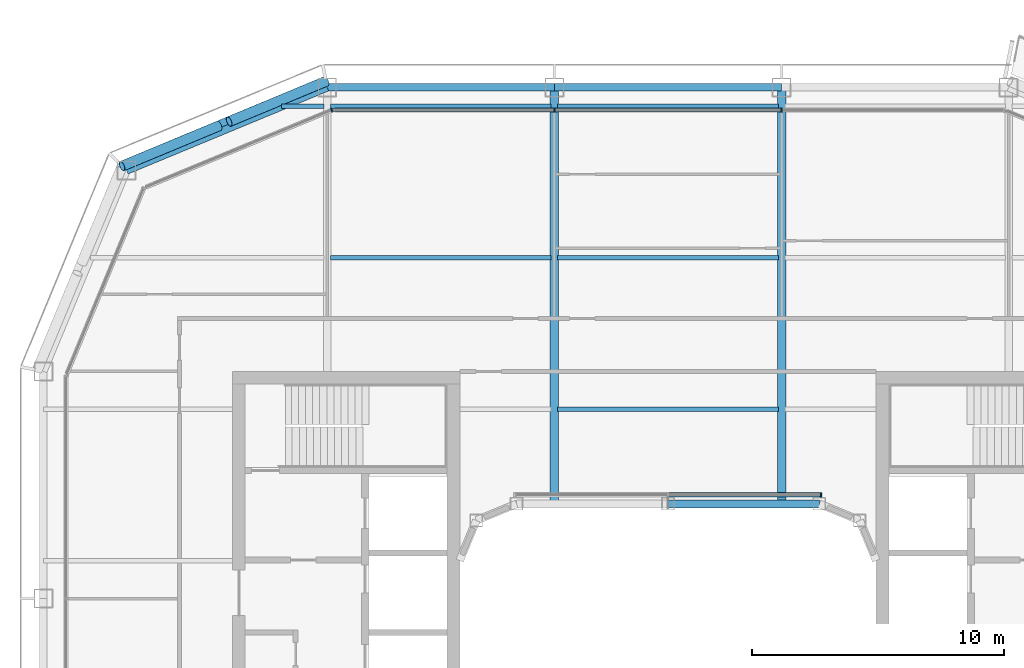
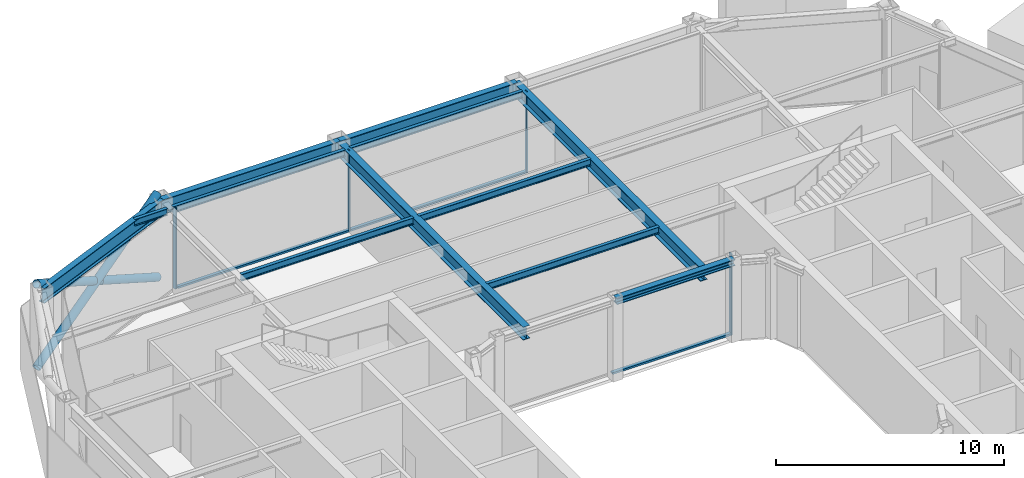
# One storey, part 7 of 20: 12 beams, 10 members, 3 elements without a shape of their own.
"""IFC4 building model written with IfcOpenShell, lengths in metres."""

import ifcopenshell
import ifcopenshell.guid

model = None  # the IFC model being written
_history = None  # IfcOwnerHistory: only IFC2X3 demands one
_inside = {}  # id of a spatial element -> (the spatial element, [elements in it])
_under = {}  # id of a project, library or spatial element -> (it, [spatial elements below it])
_declared = {}  # id of a project -> (the project, [libraries it declares])
_typed = {}  # id of a type object -> (the type object, [elements of that type])
_made_of = {}  # id of a material, layer set ... -> (it, [elements and type objects made of it])


def new_model(schema):
    """Start an empty IFC model of exactly this schema.

    Asked for "IFC4X3", IfcOpenShell would pick the latest addendum, in which some entities
    have other attributes; the version numbers below select the first issue.
    IFC2X3 requires an IfcOwnerHistory on every rooted entity: one is made here for all.
    """
    global model, _history
    if schema == "IFC4X3":
        model = ifcopenshell.file(schema_version=(4, 3, 0, 0))
    else:
        model = ifcopenshell.file(schema=schema)
    _inside.clear()
    _under.clear()
    _declared.clear()
    _typed.clear()
    _made_of.clear()
    _history = None
    if model.schema == "IFC2X3":
        org = make("IfcOrganization", Name="unknown")
        user = make(
            "IfcPersonAndOrganization",
            ThePerson=make("IfcPerson", FamilyName="unknown"),
            TheOrganization=org,
        )
        app = make(
            "IfcApplication",
            ApplicationDeveloper=org,
            Version="unknown",
            ApplicationFullName="unknown",
            ApplicationIdentifier="unknown",
        )
        _history = make(
            "IfcOwnerHistory",
            OwningUser=user,
            OwningApplication=app,
            ChangeAction="ADDED",
            CreationDate=0,
        )
    return model


def make(cls, **values):
    """One entity of the class cls with the attributes given. An attribute that is None is left unset."""
    return model.create_entity(
        cls, **{name: value for name, value in values.items() if value is not None}
    )


def rooted(cls, **values):
    """An entity with a GlobalId (a new one), such as an element, a storey or a relation."""
    return make(cls, GlobalId=ifcopenshell.guid.new(), OwnerHistory=_history, **values)


def si_unit(unit_type, name, prefix=None):
    """IfcSIUnit, for example si_unit("LENGTHUNIT", "METRE", prefix="MILLI")."""
    return make("IfcSIUnit", UnitType=unit_type, Prefix=prefix, Name=name)


def assignment(units):
    """IfcUnitAssignment: the units of a project."""
    return None if units is None else make("IfcUnitAssignment", Units=units)


def point(xyz):
    """IfcCartesianPoint."""
    return None if xyz is None else make("IfcCartesianPoint", Coordinates=xyz)


def direction(xyz):
    """IfcDirection."""
    return None if xyz is None else make("IfcDirection", DirectionRatios=xyz)


def frame(location, z_axis=None, x_axis=None):
    """IfcAxis2Placement3D, a coordinate frame: its origin and axes. An axis left out is left unset."""
    return make(
        "IfcAxis2Placement3D",
        Location=point(location),
        Axis=direction(z_axis),
        RefDirection=direction(x_axis),
    )


def frame_2d(location, x_axis=None):
    """IfcAxis2Placement2D, a coordinate frame in the plane: its origin and x axis."""
    return make(
        "IfcAxis2Placement2D", Location=point(location), RefDirection=direction(x_axis)
    )


def origin():
    """The frame at (0, 0, 0) with its axes left unset."""
    return frame((0.0, 0.0, 0.0))


def origin_2d():
    """The frame at (0, 0) in the plane with its x axis left unset."""
    return frame_2d((0.0, 0.0))


def place(relative_to, where):
    """IfcLocalPlacement: puts the frame where relative to a parent placement (None: the world)."""
    return make(
        "IfcLocalPlacement", PlacementRelTo=relative_to, RelativePlacement=where
    )


def context(
    kind, dimensions, precision=None, world=None, true_north=None, identifier=None
):
    """IfcGeometricRepresentationContext, for example the 3D "Model" context."""
    return make(
        "IfcGeometricRepresentationContext",
        ContextIdentifier=identifier,
        ContextType=kind,
        CoordinateSpaceDimension=dimensions,
        Precision=precision,
        WorldCoordinateSystem=world,
        TrueNorth=true_north,
    )


def subcontext(parent, identifier, kind, view, scale=None):
    """IfcGeometricRepresentationSubContext, for example "Body" below "Model"."""
    return make(
        "IfcGeometricRepresentationSubContext",
        ContextIdentifier=identifier,
        ContextType=kind,
        ParentContext=parent,
        TargetScale=scale,
        TargetView=view,
    )


def project(units=None, contexts=None):
    """IfcProject with its units and contexts."""
    return rooted(
        "IfcProject",
        Name="project",
        RepresentationContexts=contexts,
        UnitsInContext=assignment(units),
    )


def spatial(cls, under=None, at=None, **own):
    """A site, building, storey or space (cls), placed at a placement, below another one or the project."""
    s = rooted(cls, ObjectPlacement=at, **own)
    if under is not None:
        _under.setdefault(under.id(), (under, []))[1].append(s)
    return s


def profile(cls, at=None, kind="AREA", **sizes):
    """A parametric profile (cls). Its sizes go by their IFC names, for example OverallWidth=200.0."""
    return make(cls, ProfileType=kind, Position=at, **sizes)


def rectangle(**sizes):
    """IfcRectangleProfileDef."""
    return profile("IfcRectangleProfileDef", **sizes)


def hollow_circle(**sizes):
    """IfcCircleHollowProfileDef."""
    return profile("IfcCircleHollowProfileDef", **sizes)


def i_section(**sizes):
    """IfcIShapeProfileDef."""
    return profile("IfcIShapeProfileDef", **sizes)


def extrude(swept, where, along, depth):
    """IfcExtrudedAreaSolid: the profile swept, set in the frame where, extruded along a direction by depth."""
    return make(
        "IfcExtrudedAreaSolid",
        SweptArea=swept,
        Position=where,
        ExtrudedDirection=direction(along),
        Depth=depth,
    )


def shape(context_of_items, identifier, shape_type, items):
    """IfcShapeRepresentation: the items that make up one representation, for example the "Body"."""
    return make(
        "IfcShapeRepresentation",
        ContextOfItems=context_of_items,
        RepresentationIdentifier=identifier,
        RepresentationType=shape_type,
        Items=items,
    )


def material(Name=None, Category=None):
    """IfcMaterial."""
    return make("IfcMaterial", Name=Name, Category=Category)


def layer(
    of_material, thickness, ventilated=None, Name=None, Category=None, Priority=None
):
    """IfcMaterialLayer: one layer of a wall or slab, of a material (None: an air gap)."""
    return make(
        "IfcMaterialLayer",
        Material=of_material,
        LayerThickness=thickness,
        IsVentilated=ventilated,
        Name=Name,
        Category=Category,
        Priority=Priority,
    )


def layer_set(layers, Name=None):
    """IfcMaterialLayerSet."""
    return make("IfcMaterialLayerSet", MaterialLayers=layers, LayerSetName=Name)


def material_profile(
    of_material, cross_section, Name=None, Category=None, Priority=None
):
    """IfcMaterialProfile: a cross section and its material."""
    return make(
        "IfcMaterialProfile",
        Name=Name,
        Material=of_material,
        Profile=cross_section,
        Priority=Priority,
        Category=Category,
    )


def profile_set(profiles, Name=None, composite=None):
    """IfcMaterialProfileSet."""
    return make(
        "IfcMaterialProfileSet",
        Name=Name,
        MaterialProfiles=profiles,
        CompositeProfile=composite,
    )


def made_of(thing, what):
    """Note that an element or type object is made of a material, layer set ...; save() writes the relation."""
    if what is not None:
        _made_of.setdefault(what.id(), (what, []))[1].append(thing)
    return thing


def type_object(cls, material=None, **own):
    """A type object (cls), such as IfcWallType, which elements share."""
    return made_of(rooted(cls, **own), material)


def element(
    cls,
    number,
    at=None,
    inside=None,
    cuts=None,
    type_object=None,
    material=None,
    context=None,
    identifier="Body",
    shape_type=None,
    held_by="IfcProductDefinitionShape",
    body=None,
    shapes=None,
    **own,
):
    """One element of the class cls, such as IfcWall. Its Tag is "e" and its number.

    at: its placement. inside: the storey or other place that contains it. cuts: it is an
    opening in that element (IfcRelVoidsElement). A single representation is given by context,
    identifier, shape_type and body (its items); several are given by shapes. held_by: the class
    of the entity that holds the representations. save() writes the other relations.
    """
    e = rooted(cls, Tag="e%d" % number, ObjectPlacement=at, **own)
    if body is not None:
        shapes = [shape(context, identifier, shape_type, body)]
    if shapes is not None:
        e.Representation = make(held_by, Representations=shapes)
    if inside is not None:
        _inside.setdefault(inside.id(), (inside, []))[1].append(e)
    if cuts is not None:
        rooted(
            "IfcRelVoidsElement", RelatingBuildingElement=cuts, RelatedOpeningElement=e
        )
    if type_object is not None:
        _typed.setdefault(type_object.id(), (type_object, []))[1].append(e)
    return made_of(e, material)


def aggregate(whole, parts):
    """IfcRelAggregates: a whole, such as a stair, and the parts it consists of."""
    return rooted("IfcRelAggregates", RelatingObject=whole, RelatedObjects=parts)


def save(model, path):
    """Write the relations noted so far, then the file.

    IfcRelAggregates (storeys below a building ...), IfcRelContainedInSpatialStructure (elements
    in a storey), IfcRelDefinesByType, IfcRelAssociatesMaterial and IfcRelDeclares: one each for
    every whole, place, type object, material and project.
    """
    for whole, parts in _under.values():
        aggregate(whole, parts)
    for where, things in _inside.values():
        rooted(
            "IfcRelContainedInSpatialStructure",
            RelatedElements=things,
            RelatingStructure=where,
        )
    for kind, things in _typed.values():
        rooted("IfcRelDefinesByType", RelatedObjects=things, RelatingType=kind)
    for what, things in _made_of.values():
        rooted("IfcRelAssociatesMaterial", RelatedObjects=things, RelatingMaterial=what)
    for by, libraries in _declared.values():
        rooted("IfcRelDeclares", RelatingContext=by, RelatedDefinitions=libraries)
    model.write(path)


model = new_model("IFC4")

# Units and contexts
model_context = context("Model", 3, precision=1e-05, world=origin(), true_north=direction((0.0, 1.0)))
body_context = subcontext(model_context, "Body", "Model", "MODEL_VIEW")
ifc_project = project(units=[si_unit("LENGTHUNIT", "METRE"), si_unit("AREAUNIT", "SQUARE_METRE"), si_unit("VOLUMEUNIT", "CUBIC_METRE"), si_unit("PLANEANGLEUNIT", "RADIAN"), si_unit("MASSUNIT", "GRAM", prefix="KILO")], contexts=[model_context])

# Site, building, storey
site_placement = place(None, origin())
site = spatial("IfcSite", under=ifc_project, at=site_placement, CompositionType="ELEMENT")
building_placement = place(site_placement, origin())
building = spatial("IfcBuilding", under=site, at=building_placement, Name="Siwar Civic Tower", CompositionType="ELEMENT")
storey_placement = place(building_placement, frame((0.0, 0.0, 307.699951171875)))
storey = spatial("IfcBuildingStorey", under=building, at=storey_placement, Name="L66", CompositionType="ELEMENT", Elevation=307.699951171875)

# Curtain wall, members
ifc_material_1 = material(Name="Aluminium and glass", Category="aluminium")
ifc_layer_1 = layer(ifc_material_1, 0.159912109375)
ifc_layer_set_1 = layer_set([ifc_layer_1], Name="Aluminium and glass")
curtain_wall_type_1 = type_object("IfcCurtainWallType", Name="ENV-CW-D", PredefinedType="NOTDEFINED", material=ifc_layer_set_1)
curtain_wall_1_placement = place(storey_placement, origin())
curtain_wall_1 = element("IfcCurtainWall", 1, at=curtain_wall_1_placement, inside=storey, type_object=curtain_wall_type_1, Name="Curtain wall D N", PredefinedType="NOTDEFINED")
ifc_material_2 = material(Name="Aluminium 6063-T6", Category="aluminium")
ifc_material_profile_1 = material_profile(ifc_material_2, rectangle(XDim=0.159912109375, YDim=0.06005859375, at=origin_2d()), Name="AL 160x60")
ifc_profile_set_1 = profile_set([ifc_material_profile_1], Name="Aluminium 6063-T6")
member_type_1 = type_object("IfcMemberType", Name="ENV-MULLION-D", PredefinedType="MULLION", material=ifc_profile_set_1)
member_1_placement = place(storey_placement, frame((4.5, 23.85009765625, 0.0), z_axis=(0.0, 0.0, 1.0), x_axis=(0.0, -1.0, 0.0)))
member_1 = element("IfcMember", 2, at=member_1_placement, type_object=member_type_1, Name="Mullion D N 2", PredefinedType="MULLION", context=body_context, shape_type="SweptSolid", body=[
    extrude(rectangle(XDim=0.159912109375, YDim=0.06005859375, at=origin_2d()), origin(), (0.0, 0.0, 1.0), 4.35009765625),
])
member_2_placement = place(storey_placement, frame((-4.5, 23.85009765625, 0.0), z_axis=(0.0, 0.0, 1.0), x_axis=(0.0, -1.0, 0.0)))
member_2 = element("IfcMember", 3, at=member_2_placement, type_object=member_type_1, Name="Mullion D N 3", PredefinedType="MULLION", context=body_context, shape_type="SweptSolid", body=[
    extrude(rectangle(XDim=0.159912109375, YDim=0.06005859375, at=origin_2d()), origin(), (0.0, 0.0, 1.0), 4.35009765625),
])

# Curtain wall, member
ifc_material_3 = material(Name="Aluminium clad insulated panel", Category="aluminium")
ifc_layer_2 = layer(ifc_material_3, 0.159912109375)
ifc_layer_set_2 = layer_set([ifc_layer_2], Name="Aluminium clad insulated panel")
curtain_wall_type_2 = type_object("IfcCurtainWallType", Name="ENV-CW-DX", PredefinedType="NOTDEFINED", material=ifc_layer_set_2)
curtain_wall_2_placement = place(storey_placement, origin())
curtain_wall_2 = element("IfcCurtainWall", 4, at=curtain_wall_2_placement, inside=storey, type_object=curtain_wall_type_2, Name="Curtain wall D NW1", PredefinedType="NOTDEFINED")
member_3_placement = place(storey_placement, frame((-13.321044921875, 23.85009765625, 0.0), z_axis=(0.0, 0.0, 1.0), x_axis=(0.382683432365, -0.923879532511, 0.0)))
member_3 = element("IfcMember", 5, at=member_3_placement, type_object=member_type_1, Name="Mullion D NW1 1", PredefinedType="MULLION", context=body_context, shape_type="SweptSolid", body=[
    extrude(rectangle(XDim=0.159912109375, YDim=0.06005859375, at=origin_2d()), origin(), (0.0, 0.0, 1.0), 4.35009765625),
])
aggregate(curtain_wall_2, [member_3])

ifc_material_4 = material(Name="Aluminium and glass", Category="aluminium")
ifc_layer_3 = layer(ifc_material_4, 0.179931640625)
ifc_layer_set_3 = layer_set([ifc_layer_3], Name="Aluminium and glass")
curtain_wall_type_3 = type_object("IfcCurtainWallType", Name="ENV-CW-W", PredefinedType="NOTDEFINED", material=ifc_layer_set_3)
curtain_wall_3_placement = place(storey_placement, origin())
curtain_wall_3 = element("IfcCurtainWall", 6, at=curtain_wall_3_placement, inside=storey, type_object=curtain_wall_type_3, Name="Curtain wall W WN", PredefinedType="NOTDEFINED")
ifc_material_5 = material(Name="Aluminium 6063-T6", Category="aluminium")
ifc_material_profile_2 = material_profile(ifc_material_5, rectangle(XDim=0.179931640625, YDim=0.06005859375, at=origin_2d()), Name="AL 180x60")
ifc_profile_set_2 = profile_set([ifc_material_profile_2], Name="Aluminium 6063-T6")
member_type_2 = type_object("IfcMemberType", Name="ENV-MULLION-W", PredefinedType="MULLION", material=ifc_profile_set_2)
member_4_placement = place(storey_placement, frame((6.071533203125, 8.610107421875, 0.0), z_axis=(0.0, 0.0, 1.0), x_axis=(0.0, -1.0, 0.0)))
member_4 = element("IfcMember", 7, at=member_4_placement, type_object=member_type_2, Name="Mullion W WN 1", PredefinedType="MULLION", context=body_context, shape_type="SweptSolid", body=[
    extrude(rectangle(XDim=0.179931640625, YDim=0.06005859375, at=origin_2d()), origin(), (0.0, 0.0, 1.0), 4.35009765625),
])

# Member
ifc_material_6 = material(Name="Aluminium 6063-T6", Category="aluminium")
ifc_material_profile_3 = material_profile(ifc_material_6, rectangle(XDim=0.159912109375, YDim=0.10009765625, at=origin_2d()), Name="AL 160x100")
ifc_profile_set_3 = profile_set([ifc_material_profile_3], Name="Aluminium 6063-T6")
member_type_3 = type_object("IfcMemberType", Name="ENV-TRANSOM-D", PredefinedType="USERDEFINED", material=ifc_profile_set_3)
member_5_placement = place(storey_placement, frame((4.469970703125, 23.85009765625, 0.050048828125), z_axis=(-1.0, 0.0, 0.0), x_axis=(0.0, -1.0, 0.0)))
member_5 = element("IfcMember", 8, at=member_5_placement, type_object=member_type_3, Name="Transom D N 2", ObjectType="TRANSOM", PredefinedType="USERDEFINED", context=body_context, shape_type="SweptSolid", body=[
    extrude(rectangle(XDim=0.159912109375, YDim=0.10009765625, at=origin_2d()), origin(), (0.0, 0.0, 1.0), 8.93994140625),
])

member_6_placement = place(storey_placement, frame((-4.530029296875, 23.85009765625, 0.050048828125), z_axis=(-1.0, 0.0, 0.0), x_axis=(0.0, -1.0, 0.0)))
member_6 = element("IfcMember", 9, at=member_6_placement, type_object=member_type_3, Name="Transom D N 3", ObjectType="TRANSOM", PredefinedType="USERDEFINED", context=body_context, shape_type="SweptSolid", body=[
    extrude(rectangle(XDim=0.159912109375, YDim=0.10009765625, at=origin_2d()), origin(), (0.0, 0.0, 1.0), 8.693115234375),
])

aggregate(curtain_wall_1, [member_1, member_2, member_5, member_6])

ifc_material_7 = material(Name="Aluminium 6063-T6", Category="aluminium")
ifc_material_profile_4 = material_profile(ifc_material_7, rectangle(XDim=0.179931640625, YDim=0.10009765625, at=origin_2d()), Name="AL 180x100")
ifc_profile_set_4 = profile_set([ifc_material_profile_4], Name="Aluminium 6063-T6")
member_type_4 = type_object("IfcMemberType", Name="ENV-TRANSOM-W", PredefinedType="USERDEFINED", material=ifc_profile_set_4)
member_7_placement = place(storey_placement, frame((6.04150390625, 8.610107421875, 0.050048828125), z_axis=(-1.0, 0.0, 0.0), x_axis=(0.0, -1.0, 0.0)))
member_7 = element("IfcMember", 10, at=member_7_placement, type_object=member_type_4, Name="Transom W WN 1", ObjectType="TRANSOM", PredefinedType="USERDEFINED", context=body_context, shape_type="SweptSolid", body=[
    extrude(rectangle(XDim=0.179931640625, YDim=0.10009765625, at=origin_2d()), origin(), (0.0, 0.0, 1.0), 6.011474609375),
])

aggregate(curtain_wall_3, [member_4, member_7])

# Members
ifc_material_8 = material(Name="Steel S355", Category="steel")
ifc_material_profile_5 = material_profile(ifc_material_8, hollow_circle(Radius=0.203125, WallThickness=0.01611328125, at=origin_2d()), Name="CHS406.4x16")
ifc_profile_set_5 = profile_set([ifc_material_profile_5], Name="Steel S355")
member_type_5 = type_object("IfcMemberType", Name="STR-BR-CHS406.4x16", PredefinedType="BRACE", material=ifc_profile_set_5)
member_8_placement = place(storey_placement, frame((-21.6318359375, 21.6318359375, 0.0), z_axis=(0.821142553604, 0.341671493852, 0.457149315816), x_axis=(-0.384163874976, 0.923264922524, 0.0)))
element("IfcMember", 11, at=member_8_placement, inside=storey, type_object=member_type_5, Name="L66/brc/DNW1-5-0-0", PredefinedType="BRACE", context=body_context, shape_type="SweptSolid", body=[
    extrude(hollow_circle(Radius=0.203125, WallThickness=0.01611328125, at=origin_2d()), origin(), (0.0, 0.0, 1.0), 9.843505859375),
])
for number, where, z_axis, x_axis, name in (
    (12, (-13.548828125, 24.9951171875, 0.0), (-0.821130093572, -0.341659024948, 0.45718101459), (0.384156893273, -0.923267827529, 0.0), "L66/brc/DNW1-5-0-4"),
    (13, (-17.791259765625, 23.229736328125, 2.362060546875), (-0.821166691915, -0.341652533125, 0.457120127208), (0.38413607648, -0.923276488787, 0.0), "L66/brc/DNW1-5-0-5"),
):
    element("IfcMember", number, at=place(storey_placement, frame(where, z_axis=z_axis, x_axis=x_axis)), inside=storey, type_object=member_type_5, Name=name, PredefinedType="BRACE", context=body_context, shape_type="SweptSolid", body=[
        extrude(hollow_circle(Radius=0.203125, WallThickness=0.01611328125, at=origin_2d()), origin(), (0.0, 0.0, 1.0), 4.677001953125),
    ])

# Beams
ifc_material_9 = material(Name="Steel S355", Category="steel")
ifc_material_profile_6 = material_profile(ifc_material_9, i_section(OverallWidth=0.169921875, OverallDepth=0.360107421875, WebThickness=0.008056640625, FlangeThickness=0.0126953125, FilletRadius=0.01806640625, at=origin_2d()), Name="IPE360")
ifc_profile_set_6 = profile_set([ifc_material_profile_6], Name="Steel S355")
beam_type_1 = type_object("IfcBeamType", Name="STR-FB-IPE360", PredefinedType="JOIST", material=ifc_profile_set_6)
for number, where, z_axis, x_axis, name in (
    (14, (-4.3701171875, 12.0, 4.170166015625), (1.0, 0.0, 0.0), (0.0, 1.0, 0.0), "L66/bm/F024"),
    (15, (-13.3701171875, 18.0, 4.170166015625), (1.0, 0.0, 0.0), (0.0, 1.0, 0.0), "L66/bm/F028"),
    (16, (-4.3701171875, 18.0, 4.170166015625), (1.0, 0.0, 0.0), (0.0, 1.0, 0.0), "L66/bm/F029"),
):
    element("IfcBeam", number, at=place(storey_placement, frame(where, z_axis=z_axis, x_axis=x_axis)), inside=storey, type_object=beam_type_1, Name=name, PredefinedType="JOIST", context=body_context, shape_type="SweptSolid", body=[
        extrude(i_section(OverallWidth=0.169921875, OverallDepth=0.360107421875, WebThickness=0.008056640625, FlangeThickness=0.0126953125, FilletRadius=0.01806640625, at=origin_2d()), origin(), (0.0, 0.0, 1.0), 8.740234375),
    ])
beam_1_placement = place(storey_placement, frame((-15.310546875, 24.0, 4.170166015625), z_axis=(1.0, 0.0, 0.0), x_axis=(0.0, 1.0, 0.0)))
element("IfcBeam", 17, at=beam_1_placement, inside=storey, type_object=beam_type_1, Name="L66/bm/F032", PredefinedType="JOIST", context=body_context, shape_type="SweptSolid", body=[
    extrude(i_section(OverallWidth=0.169921875, OverallDepth=0.360107421875, WebThickness=0.008056640625, FlangeThickness=0.0126953125, FilletRadius=0.01806640625, at=origin_2d()), origin(), (0.0, 0.0, 1.0), 1.6806640625),
])
for number, where, z_axis, x_axis, name in (
    (18, (-13.3701171875, 24.0, 4.170166015625), (1.0, 0.0, 0.0), (0.0, 1.0, 0.0), "L66/bm/F033"),
    (19, (-4.3701171875, 24.0, 4.170166015625), (1.0, 0.0, 0.0), (0.0, 1.0, 0.0), "L66/bm/F034"),
):
    element("IfcBeam", number, at=place(storey_placement, frame(where, z_axis=z_axis, x_axis=x_axis)), inside=storey, type_object=beam_type_1, Name=name, PredefinedType="JOIST", context=body_context, shape_type="SweptSolid", body=[
        extrude(i_section(OverallWidth=0.169921875, OverallDepth=0.360107421875, WebThickness=0.008056640625, FlangeThickness=0.0126953125, FilletRadius=0.01806640625, at=origin_2d()), origin(), (0.0, 0.0, 1.0), 8.740234375),
    ])
ifc_material_10 = material(Name="Steel S355", Category="steel")
ifc_material_profile_7 = material_profile(ifc_material_10, i_section(OverallWidth=0.340087890625, OverallDepth=0.699951171875, WebThickness=0.013916015625, FlangeThickness=0.030029296875, at=origin_2d()), Name="PG700x340x14x30")
ifc_profile_set_7 = profile_set([ifc_material_profile_7], Name="Steel S355")
beam_type_2 = type_object("IfcBeamType", Name="STR-PG-PG700x340x14x30", PredefinedType="BEAM", material=ifc_profile_set_7)
for number, where, z_axis, x_axis, name in (
    (20, (-4.5, 8.25, 4.0), (0.0, 1.0, 0.0), (-1.0, 0.0, 0.0), "L66/bm/G04"),
    (21, (4.5, 8.25, 4.0), (0.0, 1.0, 0.0), (-1.0, 0.0, 0.0), "L66/bm/G06"),
):
    element("IfcBeam", number, at=place(storey_placement, frame(where, z_axis=z_axis, x_axis=x_axis)), inside=storey, type_object=beam_type_2, Name=name, PredefinedType="BEAM", context=body_context, shape_type="SweptSolid", body=[
        extrude(i_section(OverallWidth=0.340087890625, OverallDepth=0.699951171875, WebThickness=0.013916015625, FlangeThickness=0.030029296875, at=origin_2d()), origin(), (0.0, 0.0, 1.0), 16.5),
    ])
ifc_material_11 = material(Name="Steel S355", Category="steel")
ifc_material_profile_8 = material_profile(ifc_material_11, i_section(OverallWidth=0.31005859375, OverallDepth=0.340087890625, WebThickness=0.02099609375, FlangeThickness=0.0390625, FilletRadius=0.027099609375, at=origin_2d()), Name="HEM300")
ifc_profile_set_8 = profile_set([ifc_material_profile_8], Name="Steel S355")
beam_type_3 = type_object("IfcBeamType", Name="STR-RB-HEM300", PredefinedType="BEAM", material=ifc_profile_set_8)
beam_2_placement = place(storey_placement, frame((0.0, 8.25, 4.179931640625), z_axis=(1.0, 0.0, 0.0), x_axis=(0.0, 1.0, 0.0)))
element("IfcBeam", 22, at=beam_2_placement, inside=storey, type_object=beam_type_3, Name="L66/bm/RN2", PredefinedType="BEAM", context=body_context, shape_type="SweptSolid", body=[
    extrude(i_section(OverallWidth=0.31005859375, OverallDepth=0.340087890625, WebThickness=0.02099609375, FlangeThickness=0.0390625, FilletRadius=0.027099609375, at=origin_2d()), origin(), (0.0, 0.0, 1.0), 6.0),
])
ifc_material_12 = material(Name="Steel S355", Category="steel")
ifc_material_profile_9 = material_profile(ifc_material_12, i_section(OverallWidth=0.300048828125, OverallDepth=0.800048828125, WebThickness=0.017578125, FlangeThickness=0.032958984375, FilletRadius=0.030029296875, at=origin_2d()), Name="HEB800")
ifc_profile_set_9 = profile_set([ifc_material_profile_9], Name="Steel S355")
beam_type_4 = type_object("IfcBeamType", Name="STR-SB-HEB800", PredefinedType="BEAM", material=ifc_profile_set_9)
for number, where, z_axis, x_axis, name in (
    (23, (4.5, 24.75, 3.949951171875), (-1.0, 0.0, 0.0), (0.0, -1.0, 0.0), "L66/bm/SN-1"),
    (24, (-4.5, 24.75, 3.949951171875), (-1.0, 0.0, 0.0), (0.0, -1.0, 0.0), "L66/bm/SN-2"),
):
    element("IfcBeam", number, at=place(storey_placement, frame(where, z_axis=z_axis, x_axis=x_axis)), inside=storey, type_object=beam_type_4, Name=name, PredefinedType="BEAM", context=body_context, shape_type="SweptSolid", body=[
        extrude(i_section(OverallWidth=0.300048828125, OverallDepth=0.800048828125, WebThickness=0.017578125, FlangeThickness=0.032958984375, FilletRadius=0.030029296875, at=origin_2d()), origin(), (0.0, 0.0, 1.0), 9.0),
    ])
beam_3_placement = place(storey_placement, frame((-13.5, 24.75, 3.949951171875), z_axis=(-0.923872720536, -0.382699877515, 0.0), x_axis=(0.382699877515, -0.923872720536, 0.0)))
element("IfcBeam", 25, at=beam_3_placement, inside=storey, type_object=beam_type_4, Name="L66/bm/SNW1-0", PredefinedType="BEAM", context=body_context, shape_type="SweptSolid", body=[
    extrude(i_section(OverallWidth=0.300048828125, OverallDepth=0.800048828125, WebThickness=0.017578125, FlangeThickness=0.032958984375, FilletRadius=0.030029296875, at=origin_2d()), origin(), (0.0, 0.0, 1.0), 8.6103515625),
])

save(model, "model.ifc")
